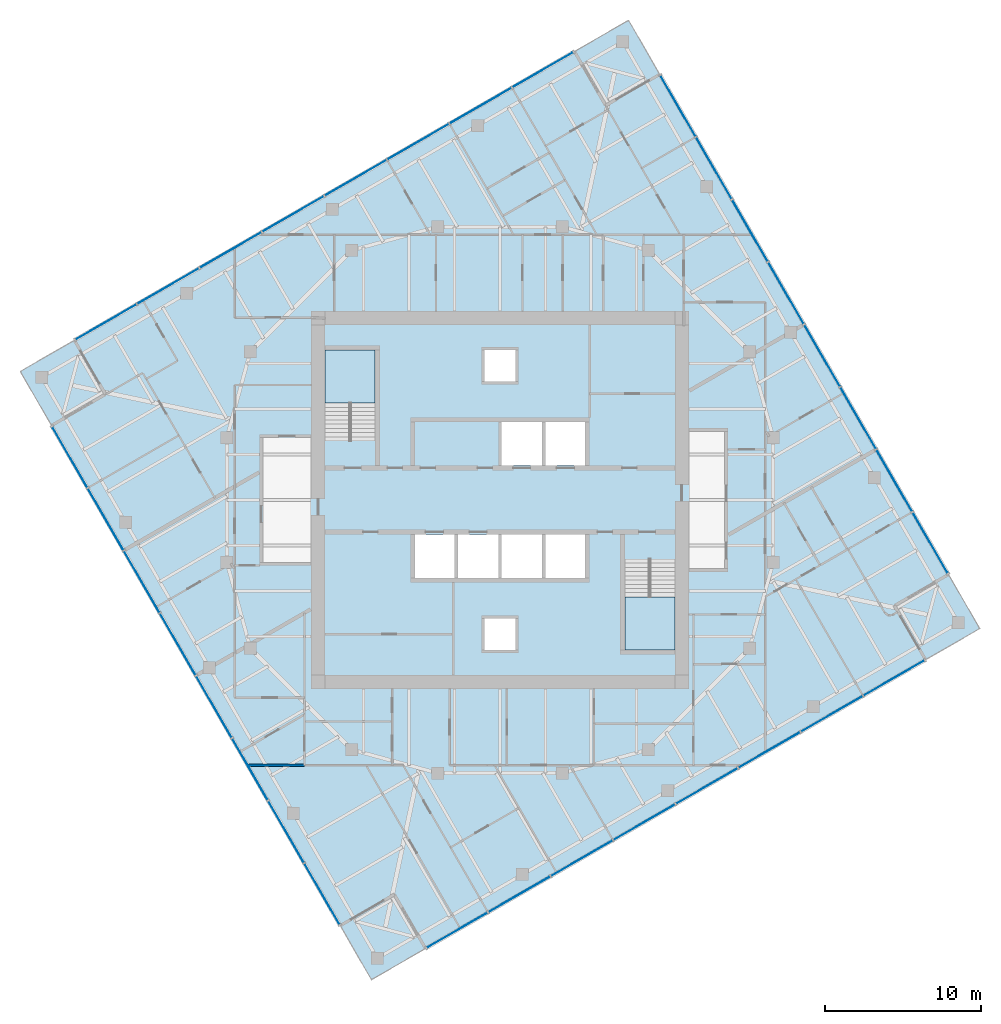
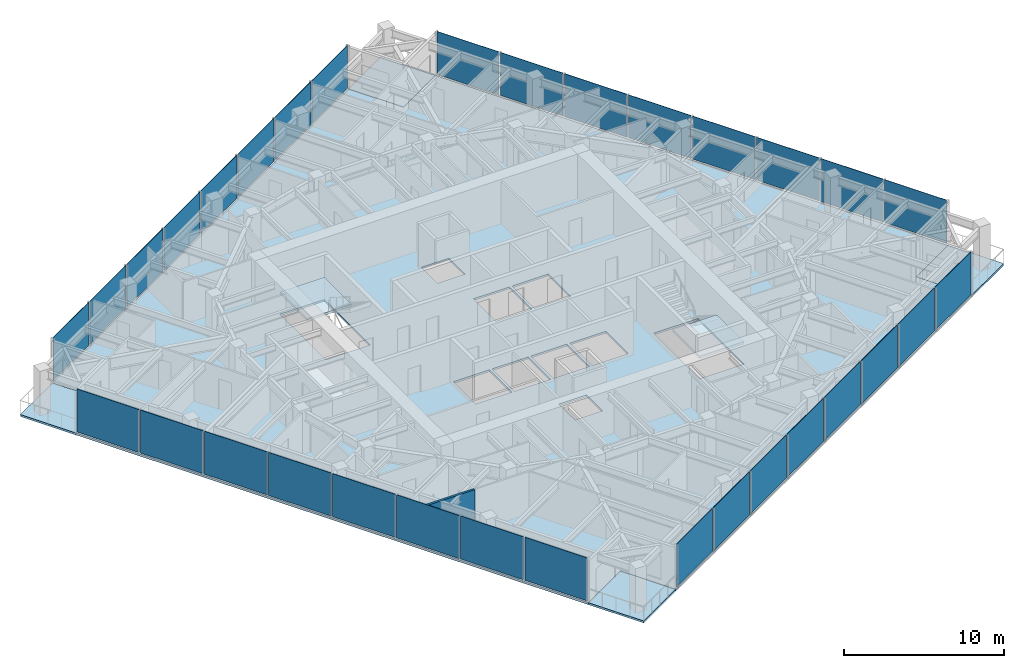
# One storey, part 6 of 12: 32 plates, 7 slabs, 1 wall, 6 elements without a shape of their own.
"""IFC4 building model written with IfcOpenShell, lengths in metres."""

import ifcopenshell
import ifcopenshell.guid

model = None  # the IFC model being written
_history = None  # IfcOwnerHistory: only IFC2X3 demands one
_inside = {}  # id of a spatial element -> (the spatial element, [elements in it])
_under = {}  # id of a project, library or spatial element -> (it, [spatial elements below it])
_declared = {}  # id of a project -> (the project, [libraries it declares])
_typed = {}  # id of a type object -> (the type object, [elements of that type])
_made_of = {}  # id of a material, layer set ... -> (it, [elements and type objects made of it])


def new_model(schema):
    """Start an empty IFC model of exactly this schema.

    Asked for "IFC4X3", IfcOpenShell would pick the latest addendum, in which some entities
    have other attributes; the version numbers below select the first issue.
    IFC2X3 requires an IfcOwnerHistory on every rooted entity: one is made here for all.
    """
    global model, _history
    if schema == "IFC4X3":
        model = ifcopenshell.file(schema_version=(4, 3, 0, 0))
    else:
        model = ifcopenshell.file(schema=schema)
    _inside.clear()
    _under.clear()
    _declared.clear()
    _typed.clear()
    _made_of.clear()
    _history = None
    if model.schema == "IFC2X3":
        org = make("IfcOrganization", Name="unknown")
        user = make(
            "IfcPersonAndOrganization",
            ThePerson=make("IfcPerson", FamilyName="unknown"),
            TheOrganization=org,
        )
        app = make(
            "IfcApplication",
            ApplicationDeveloper=org,
            Version="unknown",
            ApplicationFullName="unknown",
            ApplicationIdentifier="unknown",
        )
        _history = make(
            "IfcOwnerHistory",
            OwningUser=user,
            OwningApplication=app,
            ChangeAction="ADDED",
            CreationDate=0,
        )
    return model


def make(cls, **values):
    """One entity of the class cls with the attributes given. An attribute that is None is left unset."""
    return model.create_entity(
        cls, **{name: value for name, value in values.items() if value is not None}
    )


def rooted(cls, **values):
    """An entity with a GlobalId (a new one), such as an element, a storey or a relation."""
    return make(cls, GlobalId=ifcopenshell.guid.new(), OwnerHistory=_history, **values)


def si_unit(unit_type, name, prefix=None):
    """IfcSIUnit, for example si_unit("LENGTHUNIT", "METRE", prefix="MILLI")."""
    return make("IfcSIUnit", UnitType=unit_type, Prefix=prefix, Name=name)


def assignment(units):
    """IfcUnitAssignment: the units of a project."""
    return None if units is None else make("IfcUnitAssignment", Units=units)


def point(xyz):
    """IfcCartesianPoint."""
    return None if xyz is None else make("IfcCartesianPoint", Coordinates=xyz)


def direction(xyz):
    """IfcDirection."""
    return None if xyz is None else make("IfcDirection", DirectionRatios=xyz)


def frame(location, z_axis=None, x_axis=None):
    """IfcAxis2Placement3D, a coordinate frame: its origin and axes. An axis left out is left unset."""
    return make(
        "IfcAxis2Placement3D",
        Location=point(location),
        Axis=direction(z_axis),
        RefDirection=direction(x_axis),
    )


def frame_2d(location, x_axis=None):
    """IfcAxis2Placement2D, a coordinate frame in the plane: its origin and x axis."""
    return make(
        "IfcAxis2Placement2D", Location=point(location), RefDirection=direction(x_axis)
    )


def origin():
    """The frame at (0, 0, 0) with its axes left unset."""
    return frame((0.0, 0.0, 0.0))


def origin_2d():
    """The frame at (0, 0) in the plane with its x axis left unset."""
    return frame_2d((0.0, 0.0))


def place(relative_to, where):
    """IfcLocalPlacement: puts the frame where relative to a parent placement (None: the world)."""
    return make(
        "IfcLocalPlacement", PlacementRelTo=relative_to, RelativePlacement=where
    )


def context(
    kind, dimensions, precision=None, world=None, true_north=None, identifier=None
):
    """IfcGeometricRepresentationContext, for example the 3D "Model" context."""
    return make(
        "IfcGeometricRepresentationContext",
        ContextIdentifier=identifier,
        ContextType=kind,
        CoordinateSpaceDimension=dimensions,
        Precision=precision,
        WorldCoordinateSystem=world,
        TrueNorth=true_north,
    )


def subcontext(parent, identifier, kind, view, scale=None):
    """IfcGeometricRepresentationSubContext, for example "Body" below "Model"."""
    return make(
        "IfcGeometricRepresentationSubContext",
        ContextIdentifier=identifier,
        ContextType=kind,
        ParentContext=parent,
        TargetScale=scale,
        TargetView=view,
    )


def project(units=None, contexts=None):
    """IfcProject with its units and contexts."""
    return rooted(
        "IfcProject",
        Name="project",
        RepresentationContexts=contexts,
        UnitsInContext=assignment(units),
    )


def spatial(cls, under=None, at=None, **own):
    """A site, building, storey or space (cls), placed at a placement, below another one or the project."""
    s = rooted(cls, ObjectPlacement=at, **own)
    if under is not None:
        _under.setdefault(under.id(), (under, []))[1].append(s)
    return s


def polyline(points):
    """IfcPolyline through the points."""
    return make("IfcPolyline", Points=[point(p) for p in points])


def profile(cls, at=None, kind="AREA", **sizes):
    """A parametric profile (cls). Its sizes go by their IFC names, for example OverallWidth=200.0."""
    return make(cls, ProfileType=kind, Position=at, **sizes)


def rectangle(**sizes):
    """IfcRectangleProfileDef."""
    return profile("IfcRectangleProfileDef", **sizes)


def outline(outer, holes=None, kind="AREA"):
    """IfcArbitraryClosedProfileDef: a profile drawn as a closed curve; with holes, ...WithVoids."""
    if holes is None:
        return make("IfcArbitraryClosedProfileDef", ProfileType=kind, OuterCurve=outer)
    return make(
        "IfcArbitraryProfileDefWithVoids",
        ProfileType=kind,
        OuterCurve=outer,
        InnerCurves=holes,
    )


def extrude(swept, where, along, depth):
    """IfcExtrudedAreaSolid: the profile swept, set in the frame where, extruded along a direction by depth."""
    return make(
        "IfcExtrudedAreaSolid",
        SweptArea=swept,
        Position=where,
        ExtrudedDirection=direction(along),
        Depth=depth,
    )


def shape(context_of_items, identifier, shape_type, items):
    """IfcShapeRepresentation: the items that make up one representation, for example the "Body"."""
    return make(
        "IfcShapeRepresentation",
        ContextOfItems=context_of_items,
        RepresentationIdentifier=identifier,
        RepresentationType=shape_type,
        Items=items,
    )


def material(Name=None, Category=None):
    """IfcMaterial."""
    return make("IfcMaterial", Name=Name, Category=Category)


def layer(
    of_material, thickness, ventilated=None, Name=None, Category=None, Priority=None
):
    """IfcMaterialLayer: one layer of a wall or slab, of a material (None: an air gap)."""
    return make(
        "IfcMaterialLayer",
        Material=of_material,
        LayerThickness=thickness,
        IsVentilated=ventilated,
        Name=Name,
        Category=Category,
        Priority=Priority,
    )


def layer_set(layers, Name=None):
    """IfcMaterialLayerSet."""
    return make("IfcMaterialLayerSet", MaterialLayers=layers, LayerSetName=Name)


def made_of(thing, what):
    """Note that an element or type object is made of a material, layer set ...; save() writes the relation."""
    if what is not None:
        _made_of.setdefault(what.id(), (what, []))[1].append(thing)
    return thing


def type_object(cls, material=None, **own):
    """A type object (cls), such as IfcWallType, which elements share."""
    return made_of(rooted(cls, **own), material)


def element(
    cls,
    number,
    at=None,
    inside=None,
    cuts=None,
    type_object=None,
    material=None,
    context=None,
    identifier="Body",
    shape_type=None,
    held_by="IfcProductDefinitionShape",
    body=None,
    shapes=None,
    **own,
):
    """One element of the class cls, such as IfcWall. Its Tag is "e" and its number.

    at: its placement. inside: the storey or other place that contains it. cuts: it is an
    opening in that element (IfcRelVoidsElement). A single representation is given by context,
    identifier, shape_type and body (its items); several are given by shapes. held_by: the class
    of the entity that holds the representations. save() writes the other relations.
    """
    e = rooted(cls, Tag="e%d" % number, ObjectPlacement=at, **own)
    if body is not None:
        shapes = [shape(context, identifier, shape_type, body)]
    if shapes is not None:
        e.Representation = make(held_by, Representations=shapes)
    if inside is not None:
        _inside.setdefault(inside.id(), (inside, []))[1].append(e)
    if cuts is not None:
        rooted(
            "IfcRelVoidsElement", RelatingBuildingElement=cuts, RelatedOpeningElement=e
        )
    if type_object is not None:
        _typed.setdefault(type_object.id(), (type_object, []))[1].append(e)
    return made_of(e, material)


def aggregate(whole, parts):
    """IfcRelAggregates: a whole, such as a stair, and the parts it consists of."""
    return rooted("IfcRelAggregates", RelatingObject=whole, RelatedObjects=parts)


def save(model, path):
    """Write the relations noted so far, then the file.

    IfcRelAggregates (storeys below a building ...), IfcRelContainedInSpatialStructure (elements
    in a storey), IfcRelDefinesByType, IfcRelAssociatesMaterial and IfcRelDeclares: one each for
    every whole, place, type object, material and project.
    """
    for whole, parts in _under.values():
        aggregate(whole, parts)
    for where, things in _inside.values():
        rooted(
            "IfcRelContainedInSpatialStructure",
            RelatedElements=things,
            RelatingStructure=where,
        )
    for kind, things in _typed.values():
        rooted("IfcRelDefinesByType", RelatedObjects=things, RelatingType=kind)
    for what, things in _made_of.values():
        rooted("IfcRelAssociatesMaterial", RelatedObjects=things, RelatingMaterial=what)
    for by, libraries in _declared.values():
        rooted("IfcRelDeclares", RelatingContext=by, RelatedDefinitions=libraries)
    model.write(path)


model = new_model("IFC4")

# Units and contexts
model_context = context("Model", 3, precision=1e-05, world=origin(), true_north=direction((0.0, 1.0)))
body_context = subcontext(model_context, "Body", "Model", "MODEL_VIEW")
ifc_project = project(units=[si_unit("LENGTHUNIT", "METRE"), si_unit("AREAUNIT", "SQUARE_METRE"), si_unit("VOLUMEUNIT", "CUBIC_METRE"), si_unit("PLANEANGLEUNIT", "RADIAN"), si_unit("MASSUNIT", "GRAM", prefix="KILO")], contexts=[model_context])

# Site, building, storey
site_placement = place(None, origin())
site = spatial("IfcSite", under=ifc_project, at=site_placement, CompositionType="ELEMENT")
building_placement = place(site_placement, origin())
building = spatial("IfcBuilding", under=site, at=building_placement, Name="Torsade Residences", CompositionType="ELEMENT")
storey_placement = place(building_placement, frame((0.0, 0.0, 211.60009765625)))
storey = spatial("IfcBuildingStorey", under=building, at=storey_placement, Name="L58", CompositionType="ELEMENT", Elevation=211.60009765625)

# Slab
ifc_material_1 = material(Name="Concrete 40 MPa", Category="concrete")
ifc_layer_1 = layer(ifc_material_1, 0.14990234375)
ifc_layer_set_1 = layer_set([ifc_layer_1], Name="Concrete 40 MPa")
slab_type_1 = type_object("IfcSlabType", Name="COMPOSITE FLOOR SLAB 150", PredefinedType="FLOOR", material=ifc_layer_set_1)
slab_1_placement = place(storey_placement, frame((0.0, 0.0, -0.150146484375)))
element("IfcSlab", 1, at=slab_1_placement, inside=storey, type_object=slab_type_1, Name="Floor slab L58", PredefinedType="FLOOR", context=body_context, shape_type="SweptSolid", body=[
    extrude(outline(polyline([(35.228515625, 1.264404296875), (67.271484375, 19.764404296875), (65.271484375, 23.228515625), (68.735595703125, 25.228515625), (50.235595703125, 57.271484375), (46.771484375, 55.271484375), (44.771484375, 58.735595703125), (12.728515625, 40.235595703125), (14.728515625, 36.771484375), (11.264404296875, 34.771484375), (29.764404296875, 2.728515625), (33.228515625, 4.728515625), (35.228515625, 1.264404296875)]), holes=[polyline([(51.199951171875, 26.1201171875), (48.0, 26.1201171875), (48.0, 20.39990234375), (51.199951171875, 20.39990234375), (51.199951171875, 26.1201171875)]), polyline([(45.5, 27.800048828125), (42.89990234375, 27.800048828125), (42.89990234375, 25.0), (45.5, 25.0), (45.5, 27.800048828125)]), polyline([(45.5, 35.0), (42.89990234375, 35.0), (42.89990234375, 32.199951171875), (45.5, 32.199951171875), (45.5, 35.0)]), polyline([(42.699951171875, 25.0), (42.699951171875, 27.800048828125), (40.10009765625, 27.800048828125), (40.10009765625, 25.0), (42.699951171875, 25.0)]), polyline([(42.699951171875, 35.0), (40.10009765625, 35.0), (40.10009765625, 32.199951171875), (42.699951171875, 32.199951171875), (42.699951171875, 35.0)]), polyline([(41.0, 22.39990234375), (39.0, 22.39990234375), (39.0, 20.39990234375), (41.0, 20.39990234375), (41.0, 22.39990234375)]), polyline([(41.0, 37.60009765625), (41.0, 39.60009765625), (39.0, 39.60009765625), (39.0, 37.60009765625), (41.0, 37.60009765625)]), polyline([(39.89990234375, 25.0), (39.89990234375, 27.800048828125), (37.300048828125, 27.800048828125), (37.300048828125, 25.0), (39.89990234375, 25.0)]), polyline([(37.10009765625, 27.800048828125), (34.5, 27.800048828125), (34.5, 25.0), (37.10009765625, 25.0), (37.10009765625, 27.800048828125)]), polyline([(32.0, 33.8798828125), (32.0, 39.60009765625), (28.800048828125, 39.60009765625), (28.800048828125, 33.8798828125), (32.0, 33.8798828125)])]), origin(), (0.0, 0.0, 1.0), 0.150146484375),
])

# Curtain wall, plates
ifc_material_2 = material(Name="Aluminium and glass", Category="aluminium")
curtain_wall_type = type_object("IfcCurtainWallType", Name="FRITTED GLASS CURTAIN WALL HIGH ZONE", PredefinedType="NOTDEFINED", material=ifc_material_2)
curtain_wall_1_placement = place(storey_placement, origin())
curtain_wall_1 = element("IfcCurtainWall", 2, at=curtain_wall_1_placement, inside=storey, type_object=curtain_wall_type, Name="Curtain wall L58 face 1", PredefinedType="NOTDEFINED")
ifc_material_3 = material(Name="Laminated glass", Category="glass")
ifc_layer_2 = layer(ifc_material_3, 0.031982421875)
ifc_layer_set_2 = layer_set([ifc_layer_2], Name="Laminated glass")
plate_type_1 = type_object("IfcPlateType", Name="FRITTED GLASS PANEL", PredefinedType="CURTAIN_PANEL", material=ifc_layer_set_2)
plate_1_placement = place(storey_placement, frame((37.2529296875, 2.43310546875, 0.1201171875), z_axis=(0.0, 0.0, 1.0), x_axis=(0.866025404186, 0.499999999305, 0.0)))
plate_1 = element("IfcPlate", 3, at=plate_1_placement, type_object=plate_type_1, Name="Panel 1", PredefinedType="CURTAIN_PANEL", context=body_context, shape_type="SweptSolid", body=[
    extrude(rectangle(XDim=4.47509765625, YDim=0.031982421875, at=origin_2d()), origin(), (0.0, 0.0, 1.0), 3.280029296875),
])
plate_2_placement = place(storey_placement, frame((45.241943359375, 7.045654296875, 0.1201171875), z_axis=(0.0, 0.0, 1.0), x_axis=(0.866025404186, 0.499999999305, 0.0)))
plate_2 = element("IfcPlate", 4, at=plate_2_placement, type_object=plate_type_1, Name="Panel 3", PredefinedType="CURTAIN_PANEL", context=body_context, shape_type="SweptSolid", body=[
    extrude(rectangle(XDim=4.52490234375, YDim=0.031982421875, at=origin_2d()), origin(), (0.0, 0.0, 1.0), 3.280029296875),
])
plate_3_placement = place(storey_placement, frame((49.247314453125, 9.358154296875, 0.1201171875), z_axis=(0.0, 0.0, 1.0), x_axis=(0.866025404186, 0.499999999305, 0.0)))
plate_3 = element("IfcPlate", 5, at=plate_3_placement, type_object=plate_type_1, Name="Panel 4", PredefinedType="CURTAIN_PANEL", context=body_context, shape_type="SweptSolid", body=[
    extrude(rectangle(XDim=4.52490234375, YDim=0.031982421875, at=origin_2d()), origin(), (0.0, 0.0, 1.0), 3.280029296875),
])
plate_4_placement = place(storey_placement, frame((53.252685546875, 11.670654296875, 0.1201171875), z_axis=(0.0, 0.0, 1.0), x_axis=(0.866025404186, 0.499999999305, 0.0)))
plate_4 = element("IfcPlate", 6, at=plate_4_placement, type_object=plate_type_1, Name="Panel 5", PredefinedType="CURTAIN_PANEL", context=body_context, shape_type="SweptSolid", body=[
    extrude(rectangle(XDim=4.52490234375, YDim=0.031982421875, at=origin_2d()), origin(), (0.0, 0.0, 1.0), 3.280029296875),
])
plate_5_placement = place(storey_placement, frame((61.263427734375, 16.295654296875, 0.1201171875), z_axis=(0.0, 0.0, 1.0), x_axis=(0.866025404186, 0.499999999305, 0.0)))
plate_5 = element("IfcPlate", 7, at=plate_5_placement, type_object=plate_type_1, Name="Panel 7", PredefinedType="CURTAIN_PANEL", context=body_context, shape_type="SweptSolid", body=[
    extrude(rectangle(XDim=4.52490234375, YDim=0.031982421875, at=origin_2d()), origin(), (0.0, 0.0, 1.0), 3.280029296875),
])
plate_6_placement = place(storey_placement, frame((65.2470703125, 18.595703125, 0.1201171875), z_axis=(0.0, 0.0, 1.0), x_axis=(0.866025404186, 0.499999999305, 0.0)))
plate_6 = element("IfcPlate", 8, at=plate_6_placement, type_object=plate_type_1, Name="Panel 8", PredefinedType="CURTAIN_PANEL", context=body_context, shape_type="SweptSolid", body=[
    extrude(rectangle(XDim=4.47509765625, YDim=0.031982421875, at=origin_2d()), origin(), (0.0, 0.0, 1.0), 3.280029296875),
])

curtain_wall_2_placement = place(storey_placement, origin())
curtain_wall_2 = element("IfcCurtainWall", 9, at=curtain_wall_2_placement, inside=storey, type_object=curtain_wall_type, Name="Curtain wall L58 face 4", PredefinedType="NOTDEFINED")
plate_7_placement = place(storey_placement, frame((67.56689453125, 27.2529296875, 0.1201171875), z_axis=(0.0, 0.0, 1.0), x_axis=(-0.499999999305, 0.866025404186, 0.0)))
plate_7 = element("IfcPlate", 10, at=plate_7_placement, type_object=plate_type_1, Name="Panel 1", PredefinedType="CURTAIN_PANEL", context=body_context, shape_type="SweptSolid", body=[
    extrude(rectangle(XDim=4.47509765625, YDim=0.031982421875, at=origin_2d()), origin(), (0.0, 0.0, 1.0), 3.280029296875),
])
plate_8_placement = place(storey_placement, frame((62.954345703125, 35.241943359375, 0.1201171875), z_axis=(0.0, 0.0, 1.0), x_axis=(-0.499999999305, 0.866025404186, 0.0)))
plate_8 = element("IfcPlate", 11, at=plate_8_placement, type_object=plate_type_1, Name="Panel 3", PredefinedType="CURTAIN_PANEL", context=body_context, shape_type="SweptSolid", body=[
    extrude(rectangle(XDim=4.52490234375, YDim=0.031982421875, at=origin_2d()), origin(), (0.0, 0.0, 1.0), 3.280029296875),
])
plate_9_placement = place(storey_placement, frame((60.641845703125, 39.247314453125, 0.1201171875), z_axis=(0.0, 0.0, 1.0), x_axis=(-0.499999999305, 0.866025404186, 0.0)))
plate_9 = element("IfcPlate", 12, at=plate_9_placement, type_object=plate_type_1, Name="Panel 4", PredefinedType="CURTAIN_PANEL", context=body_context, shape_type="SweptSolid", body=[
    extrude(rectangle(XDim=4.52490234375, YDim=0.031982421875, at=origin_2d()), origin(), (0.0, 0.0, 1.0), 3.280029296875),
])
plate_10_placement = place(storey_placement, frame((58.329345703125, 43.252685546875, 0.1201171875), z_axis=(0.0, 0.0, 1.0), x_axis=(-0.499999999305, 0.866025404186, 0.0)))
plate_10 = element("IfcPlate", 13, at=plate_10_placement, type_object=plate_type_1, Name="Panel 5", PredefinedType="CURTAIN_PANEL", context=body_context, shape_type="SweptSolid", body=[
    extrude(rectangle(XDim=4.52490234375, YDim=0.031982421875, at=origin_2d()), origin(), (0.0, 0.0, 1.0), 3.280029296875),
])
plate_11_placement = place(storey_placement, frame((53.704345703125, 51.263427734375, 0.1201171875), z_axis=(0.0, 0.0, 1.0), x_axis=(-0.499999999305, 0.866025404186, 0.0)))
plate_11 = element("IfcPlate", 14, at=plate_11_placement, type_object=plate_type_1, Name="Panel 7", PredefinedType="CURTAIN_PANEL", context=body_context, shape_type="SweptSolid", body=[
    extrude(rectangle(XDim=4.52490234375, YDim=0.031982421875, at=origin_2d()), origin(), (0.0, 0.0, 1.0), 3.280029296875),
])
plate_12_placement = place(storey_placement, frame((51.404296875, 55.2470703125, 0.1201171875), z_axis=(0.0, 0.0, 1.0), x_axis=(-0.499999999305, 0.866025404186, 0.0)))
plate_12 = element("IfcPlate", 15, at=plate_12_placement, type_object=plate_type_1, Name="Panel 8", PredefinedType="CURTAIN_PANEL", context=body_context, shape_type="SweptSolid", body=[
    extrude(rectangle(XDim=4.47509765625, YDim=0.031982421875, at=origin_2d()), origin(), (0.0, 0.0, 1.0), 3.280029296875),
])

curtain_wall_3_placement = place(storey_placement, origin())
curtain_wall_3 = element("IfcCurtainWall", 16, at=curtain_wall_3_placement, inside=storey, type_object=curtain_wall_type, Name="Curtain wall L58 face 7", PredefinedType="NOTDEFINED")
plate_13_placement = place(storey_placement, frame((42.7470703125, 57.56689453125, 0.1201171875), z_axis=(0.0, 0.0, 1.0), x_axis=(-0.866025404186, -0.499999999305, 0.0)))
plate_13 = element("IfcPlate", 17, at=plate_13_placement, type_object=plate_type_1, Name="Panel 1", PredefinedType="CURTAIN_PANEL", context=body_context, shape_type="SweptSolid", body=[
    extrude(rectangle(XDim=4.47509765625, YDim=0.031982421875, at=origin_2d()), origin(), (0.0, 0.0, 1.0), 3.280029296875),
])
plate_14_placement = place(storey_placement, frame((34.758056640625, 52.954345703125, 0.1201171875), z_axis=(0.0, 0.0, 1.0), x_axis=(-0.866025404186, -0.499999999305, 0.0)))
plate_14 = element("IfcPlate", 18, at=plate_14_placement, type_object=plate_type_1, Name="Panel 3", PredefinedType="CURTAIN_PANEL", context=body_context, shape_type="SweptSolid", body=[
    extrude(rectangle(XDim=4.52490234375, YDim=0.031982421875, at=origin_2d()), origin(), (0.0, 0.0, 1.0), 3.280029296875),
])
plate_15_placement = place(storey_placement, frame((30.752685546875, 50.641845703125, 0.1201171875), z_axis=(0.0, 0.0, 1.0), x_axis=(-0.866025404186, -0.499999999305, 0.0)))
plate_15 = element("IfcPlate", 19, at=plate_15_placement, type_object=plate_type_1, Name="Panel 4", PredefinedType="CURTAIN_PANEL", context=body_context, shape_type="SweptSolid", body=[
    extrude(rectangle(XDim=4.52490234375, YDim=0.031982421875, at=origin_2d()), origin(), (0.0, 0.0, 1.0), 3.280029296875),
])
plate_16_placement = place(storey_placement, frame((26.747314453125, 48.329345703125, 0.1201171875), z_axis=(0.0, 0.0, 1.0), x_axis=(-0.866025404186, -0.499999999305, 0.0)))
plate_16 = element("IfcPlate", 20, at=plate_16_placement, type_object=plate_type_1, Name="Panel 5", PredefinedType="CURTAIN_PANEL", context=body_context, shape_type="SweptSolid", body=[
    extrude(rectangle(XDim=4.52490234375, YDim=0.031982421875, at=origin_2d()), origin(), (0.0, 0.0, 1.0), 3.280029296875),
])
plate_17_placement = place(storey_placement, frame((18.736572265625, 43.704345703125, 0.1201171875), z_axis=(0.0, 0.0, 1.0), x_axis=(-0.866025404186, -0.499999999305, 0.0)))
plate_17 = element("IfcPlate", 21, at=plate_17_placement, type_object=plate_type_1, Name="Panel 7", PredefinedType="CURTAIN_PANEL", context=body_context, shape_type="SweptSolid", body=[
    extrude(rectangle(XDim=4.52490234375, YDim=0.031982421875, at=origin_2d()), origin(), (0.0, 0.0, 1.0), 3.280029296875),
])
plate_18_placement = place(storey_placement, frame((14.7529296875, 41.404296875, 0.1201171875), z_axis=(0.0, 0.0, 1.0), x_axis=(-0.866025404186, -0.499999999305, 0.0)))
plate_18 = element("IfcPlate", 22, at=plate_18_placement, type_object=plate_type_1, Name="Panel 8", PredefinedType="CURTAIN_PANEL", context=body_context, shape_type="SweptSolid", body=[
    extrude(rectangle(XDim=4.47509765625, YDim=0.031982421875, at=origin_2d()), origin(), (0.0, 0.0, 1.0), 3.280029296875),
])

curtain_wall_4_placement = place(storey_placement, origin())
curtain_wall_4 = element("IfcCurtainWall", 23, at=curtain_wall_4_placement, inside=storey, type_object=curtain_wall_type, Name="Curtain wall L58 face 10", PredefinedType="NOTDEFINED")
plate_19_placement = place(storey_placement, frame((12.43310546875, 32.7470703125, 0.1201171875), z_axis=(0.0, 0.0, 1.0), x_axis=(0.499999999305, -0.866025404186, 0.0)))
plate_19 = element("IfcPlate", 24, at=plate_19_placement, type_object=plate_type_1, Name="Panel 1", PredefinedType="CURTAIN_PANEL", context=body_context, shape_type="SweptSolid", body=[
    extrude(rectangle(XDim=4.47509765625, YDim=0.031982421875, at=origin_2d()), origin(), (0.0, 0.0, 1.0), 3.280029296875),
])
plate_20_placement = place(storey_placement, frame((17.045654296875, 24.758056640625, 0.1201171875), z_axis=(0.0, 0.0, 1.0), x_axis=(0.499999999305, -0.866025404186, 0.0)))
plate_20 = element("IfcPlate", 25, at=plate_20_placement, type_object=plate_type_1, Name="Panel 3", PredefinedType="CURTAIN_PANEL", context=body_context, shape_type="SweptSolid", body=[
    extrude(rectangle(XDim=4.52490234375, YDim=0.031982421875, at=origin_2d()), origin(), (0.0, 0.0, 1.0), 3.280029296875),
])
plate_21_placement = place(storey_placement, frame((19.358154296875, 20.752685546875, 0.1201171875), z_axis=(0.0, 0.0, 1.0), x_axis=(0.499999999305, -0.866025404186, 0.0)))
plate_21 = element("IfcPlate", 26, at=plate_21_placement, type_object=plate_type_1, Name="Panel 4", PredefinedType="CURTAIN_PANEL", context=body_context, shape_type="SweptSolid", body=[
    extrude(rectangle(XDim=4.52490234375, YDim=0.031982421875, at=origin_2d()), origin(), (0.0, 0.0, 1.0), 3.280029296875),
])
plate_22_placement = place(storey_placement, frame((21.670654296875, 16.747314453125, 0.1201171875), z_axis=(0.0, 0.0, 1.0), x_axis=(0.499999999305, -0.866025404186, 0.0)))
plate_22 = element("IfcPlate", 27, at=plate_22_placement, type_object=plate_type_1, Name="Panel 5", PredefinedType="CURTAIN_PANEL", context=body_context, shape_type="SweptSolid", body=[
    extrude(rectangle(XDim=4.52490234375, YDim=0.031982421875, at=origin_2d()), origin(), (0.0, 0.0, 1.0), 3.280029296875),
])
plate_23_placement = place(storey_placement, frame((26.295654296875, 8.736572265625, 0.1201171875), z_axis=(0.0, 0.0, 1.0), x_axis=(0.499999999305, -0.866025404186, 0.0)))
plate_23 = element("IfcPlate", 28, at=plate_23_placement, type_object=plate_type_1, Name="Panel 7", PredefinedType="CURTAIN_PANEL", context=body_context, shape_type="SweptSolid", body=[
    extrude(rectangle(XDim=4.52490234375, YDim=0.031982421875, at=origin_2d()), origin(), (0.0, 0.0, 1.0), 3.280029296875),
])
plate_24_placement = place(storey_placement, frame((28.595703125, 4.7529296875, 0.1201171875), z_axis=(0.0, 0.0, 1.0), x_axis=(0.499999999305, -0.866025404186, 0.0)))
plate_24 = element("IfcPlate", 29, at=plate_24_placement, type_object=plate_type_1, Name="Panel 8", PredefinedType="CURTAIN_PANEL", context=body_context, shape_type="SweptSolid", body=[
    extrude(rectangle(XDim=4.47509765625, YDim=0.031982421875, at=origin_2d()), origin(), (0.0, 0.0, 1.0), 3.280029296875),
])

# Plate
ifc_material_4 = material(Name="Laminated glass", Category="glass")
ifc_layer_3 = layer(ifc_material_4, 0.0400390625)
ifc_layer_set_3 = layer_set([ifc_layer_3], Name="Laminated glass")
plate_type_2 = type_object("IfcPlateType", Name="OPERABLE VENT PANEL", PredefinedType="CURTAIN_PANEL", material=ifc_layer_set_3)
plate_25_placement = place(storey_placement, frame((41.236572265625, 4.733154296875, 0.1201171875), z_axis=(0.0, 0.0, 1.0), x_axis=(0.866025404186, 0.499999999305, 0.0)))
plate_25 = element("IfcPlate", 30, at=plate_25_placement, type_object=plate_type_2, Name="Panel 2", PredefinedType="CURTAIN_PANEL", context=body_context, shape_type="SweptSolid", body=[
    extrude(rectangle(XDim=4.52490234375, YDim=0.0400390625, at=origin_2d()), origin(), (0.0, 0.0, 1.0), 3.280029296875),
])

plate_26_placement = place(storey_placement, frame((57.258056640625, 13.983154296875, 0.1201171875), z_axis=(0.0, 0.0, 1.0), x_axis=(0.866025404186, 0.499999999305, 0.0)))
plate_26 = element("IfcPlate", 31, at=plate_26_placement, type_object=plate_type_2, Name="Panel 6", PredefinedType="CURTAIN_PANEL", context=body_context, shape_type="SweptSolid", body=[
    extrude(rectangle(XDim=4.52490234375, YDim=0.0400390625, at=origin_2d()), origin(), (0.0, 0.0, 1.0), 3.280029296875),
])

aggregate(curtain_wall_1, [plate_1, plate_25, plate_2, plate_3, plate_4, plate_26, plate_5, plate_6])

plate_27_placement = place(storey_placement, frame((65.266845703125, 31.236572265625, 0.1201171875), z_axis=(0.0, 0.0, 1.0), x_axis=(-0.499999999305, 0.866025404186, 0.0)))
plate_27 = element("IfcPlate", 32, at=plate_27_placement, type_object=plate_type_2, Name="Panel 2", PredefinedType="CURTAIN_PANEL", context=body_context, shape_type="SweptSolid", body=[
    extrude(rectangle(XDim=4.52490234375, YDim=0.0400390625, at=origin_2d()), origin(), (0.0, 0.0, 1.0), 3.280029296875),
])

plate_28_placement = place(storey_placement, frame((56.016845703125, 47.258056640625, 0.1201171875), z_axis=(0.0, 0.0, 1.0), x_axis=(-0.499999999305, 0.866025404186, 0.0)))
plate_28 = element("IfcPlate", 33, at=plate_28_placement, type_object=plate_type_2, Name="Panel 6", PredefinedType="CURTAIN_PANEL", context=body_context, shape_type="SweptSolid", body=[
    extrude(rectangle(XDim=4.52490234375, YDim=0.0400390625, at=origin_2d()), origin(), (0.0, 0.0, 1.0), 3.280029296875),
])

aggregate(curtain_wall_2, [plate_7, plate_27, plate_8, plate_9, plate_10, plate_28, plate_11, plate_12])

plate_29_placement = place(storey_placement, frame((38.763427734375, 55.266845703125, 0.1201171875), z_axis=(0.0, 0.0, 1.0), x_axis=(-0.866025404186, -0.499999999305, 0.0)))
plate_29 = element("IfcPlate", 34, at=plate_29_placement, type_object=plate_type_2, Name="Panel 2", PredefinedType="CURTAIN_PANEL", context=body_context, shape_type="SweptSolid", body=[
    extrude(rectangle(XDim=4.52490234375, YDim=0.0400390625, at=origin_2d()), origin(), (0.0, 0.0, 1.0), 3.280029296875),
])

plate_30_placement = place(storey_placement, frame((22.741943359375, 46.016845703125, 0.1201171875), z_axis=(0.0, 0.0, 1.0), x_axis=(-0.866025404186, -0.499999999305, 0.0)))
plate_30 = element("IfcPlate", 35, at=plate_30_placement, type_object=plate_type_2, Name="Panel 6", PredefinedType="CURTAIN_PANEL", context=body_context, shape_type="SweptSolid", body=[
    extrude(rectangle(XDim=4.52490234375, YDim=0.0400390625, at=origin_2d()), origin(), (0.0, 0.0, 1.0), 3.280029296875),
])

aggregate(curtain_wall_3, [plate_13, plate_29, plate_14, plate_15, plate_16, plate_30, plate_17, plate_18])

plate_31_placement = place(storey_placement, frame((14.733154296875, 28.763427734375, 0.1201171875), z_axis=(0.0, 0.0, 1.0), x_axis=(0.499999999305, -0.866025404186, 0.0)))
plate_31 = element("IfcPlate", 36, at=plate_31_placement, type_object=plate_type_2, Name="Panel 2", PredefinedType="CURTAIN_PANEL", context=body_context, shape_type="SweptSolid", body=[
    extrude(rectangle(XDim=4.52490234375, YDim=0.0400390625, at=origin_2d()), origin(), (0.0, 0.0, 1.0), 3.280029296875),
])

plate_32_placement = place(storey_placement, frame((23.983154296875, 12.741943359375, 0.1201171875), z_axis=(0.0, 0.0, 1.0), x_axis=(0.499999999305, -0.866025404186, 0.0)))
plate_32 = element("IfcPlate", 37, at=plate_32_placement, type_object=plate_type_2, Name="Panel 6", PredefinedType="CURTAIN_PANEL", context=body_context, shape_type="SweptSolid", body=[
    extrude(rectangle(XDim=4.52490234375, YDim=0.0400390625, at=origin_2d()), origin(), (0.0, 0.0, 1.0), 3.280029296875),
])

aggregate(curtain_wall_4, [plate_19, plate_31, plate_20, plate_21, plate_22, plate_32, plate_23, plate_24])

# Stair, slab
ifc_material_5 = material(Name="Precast concrete 40 MPa", Category="concrete")
stair_type = type_object("IfcStairType", Name="HALF-TURN FIRE STAIR 1500x3400", PredefinedType="HALF_TURN_STAIR", material=ifc_material_5)
stair_1_placement = place(storey_placement, origin())
stair_1 = element("IfcStair", 38, at=stair_1_placement, inside=storey, type_object=stair_type, Name="Stair ST1 L58", PredefinedType="HALF_TURN_STAIR")
ifc_material_6 = material(Name="Precast concrete 40 MPa", Category="concrete")
ifc_layer_4 = layer(ifc_material_6, 0.179931640625)
ifc_layer_set_4 = layer_set([ifc_layer_4], Name="Precast concrete 40 MPa")
slab_type_2 = type_object("IfcSlabType", Name="PRECAST STAIR LANDING 180", PredefinedType="LANDING", material=ifc_layer_set_4)
slab_2_placement = place(storey_placement, frame((0.0, 0.0, 1.52001953125)))
slab_2 = element("IfcSlab", 39, at=slab_2_placement, type_object=slab_type_2, Name="ST1 landing 1", PredefinedType="LANDING", context=body_context, shape_type="SweptSolid", body=[
    extrude(outline(polyline([(28.800048828125, 36.2099609375), (32.0, 36.2099609375), (32.0, 39.60009765625), (28.800048828125, 39.60009765625), (28.800048828125, 36.2099609375)])), origin(), (0.0, 0.0, 1.0), 0.179931640625),
])
aggregate(stair_1, [slab_2])

stair_2_placement = place(storey_placement, origin())
stair_2 = element("IfcStair", 40, at=stair_2_placement, inside=storey, type_object=stair_type, Name="Stair ST2 L58", PredefinedType="HALF_TURN_STAIR")
slab_3_placement = place(storey_placement, frame((0.0, 0.0, 1.52001953125)))
slab_3 = element("IfcSlab", 41, at=slab_3_placement, type_object=slab_type_2, Name="ST2 landing 1", PredefinedType="LANDING", context=body_context, shape_type="SweptSolid", body=[
    extrude(outline(polyline([(48.0, 20.39990234375), (51.199951171875, 20.39990234375), (51.199951171875, 23.7900390625), (48.0, 23.7900390625), (48.0, 20.39990234375)])), origin(), (0.0, 0.0, 1.0), 0.179931640625),
])
aggregate(stair_2, [slab_3])

# Slabs
ifc_material_7 = material(Name="Concrete 40 MPa", Category="concrete")
ifc_layer_5 = layer(ifc_material_7, 0.14990234375)
ifc_layer_set_5 = layer_set([ifc_layer_5], Name="Concrete 40 MPa")
slab_type_3 = type_object("IfcSlabType", Name="TERRACE SLAB 150", PredefinedType="FLOOR", material=ifc_layer_set_5)
slab_4_placement = place(storey_placement, frame((0.0, 0.0, -0.150146484375)))
element("IfcSlab", 42, at=slab_4_placement, inside=storey, type_object=slab_type_3, Name="Corner terrace slab SE L58", PredefinedType="FLOOR", context=body_context, shape_type="SweptSolid", body=[
    extrude(outline(polyline([(67.271484375, 19.764404296875), (70.735595703125, 21.764404296875), (68.735595703125, 25.228515625), (65.271484375, 23.228515625), (67.271484375, 19.764404296875)])), origin(), (0.0, 0.0, 1.0), 0.150146484375),
])
slab_5_placement = place(storey_placement, frame((0.0, 0.0, -0.150146484375)))
element("IfcSlab", 43, at=slab_5_placement, inside=storey, type_object=slab_type_3, Name="Corner terrace slab NE L58", PredefinedType="FLOOR", context=body_context, shape_type="SweptSolid", body=[
    extrude(outline(polyline([(46.771484375, 55.271484375), (50.235595703125, 57.271484375), (48.235595703125, 60.735595703125), (44.771484375, 58.735595703125), (46.771484375, 55.271484375)])), origin(), (0.0, 0.0, 1.0), 0.150146484375),
])
slab_6_placement = place(storey_placement, frame((0.0, 0.0, -0.150146484375)))
element("IfcSlab", 44, at=slab_6_placement, inside=storey, type_object=slab_type_3, Name="Corner terrace slab NW L58", PredefinedType="FLOOR", context=body_context, shape_type="SweptSolid", body=[
    extrude(outline(polyline([(11.264404296875, 34.771484375), (14.728515625, 36.771484375), (12.728515625, 40.235595703125), (9.264404296875, 38.235595703125), (11.264404296875, 34.771484375)])), origin(), (0.0, 0.0, 1.0), 0.150146484375),
])
slab_7_placement = place(storey_placement, frame((0.0, 0.0, -0.150146484375)))
element("IfcSlab", 45, at=slab_7_placement, inside=storey, type_object=slab_type_3, Name="Corner terrace slab SW L58", PredefinedType="FLOOR", context=body_context, shape_type="SweptSolid", body=[
    extrude(outline(polyline([(31.764404296875, -0.735595703125), (35.228515625, 1.264404296875), (33.228515625, 4.728515625), (29.764404296875, 2.728515625), (31.764404296875, -0.735595703125)])), origin(), (0.0, 0.0, 1.0), 0.150146484375),
])

# Wall
ifc_material_8 = material(Name="Reinforced blockwork", Category="masonry")
ifc_layer_6 = layer(ifc_material_8, 0.14990234375)
ifc_layer_set_6 = layer_set([ifc_layer_6], Name="Reinforced blockwork")
wall_type = type_object("IfcWallType", Name="SERVICE ROOM WALL 150", PredefinedType="SOLIDWALL", material=ifc_layer_set_6)
wall_placement = place(storey_placement, frame((23.88037109375, 13.0, 0.0), z_axis=(0.0, 0.0, 1.0), x_axis=(1.0, 0.0, 0.0)))
element("IfcWall", 46, at=wall_placement, inside=storey, type_object=wall_type, Name="Service room wall L58", PredefinedType="SOLIDWALL", context=body_context, shape_type="SweptSolid", body=[
    extrude(rectangle(XDim=3.593017578125, YDim=0.14990234375, at=frame_2d((1.79638671875, 0.0))), origin(), (0.0, 0.0, 1.0), 3.25),
])

save(model, "model.ifc")
